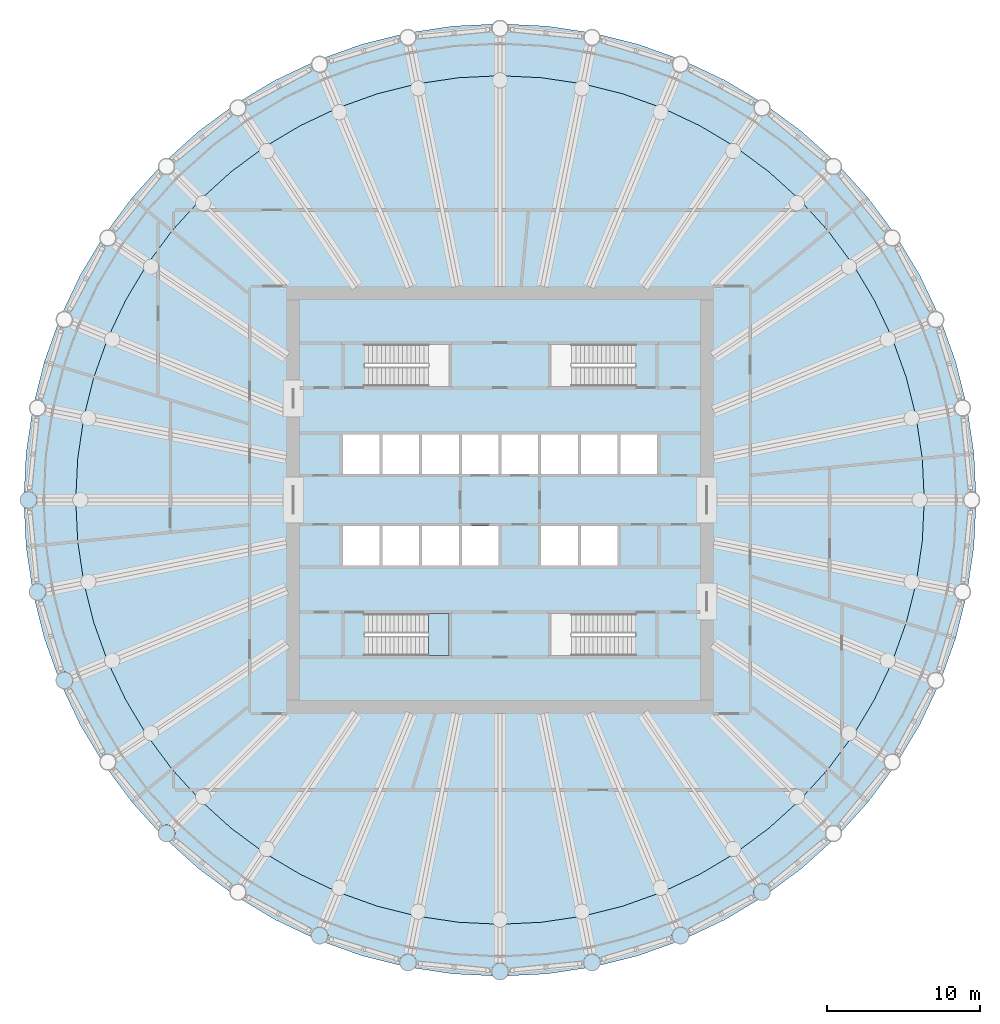
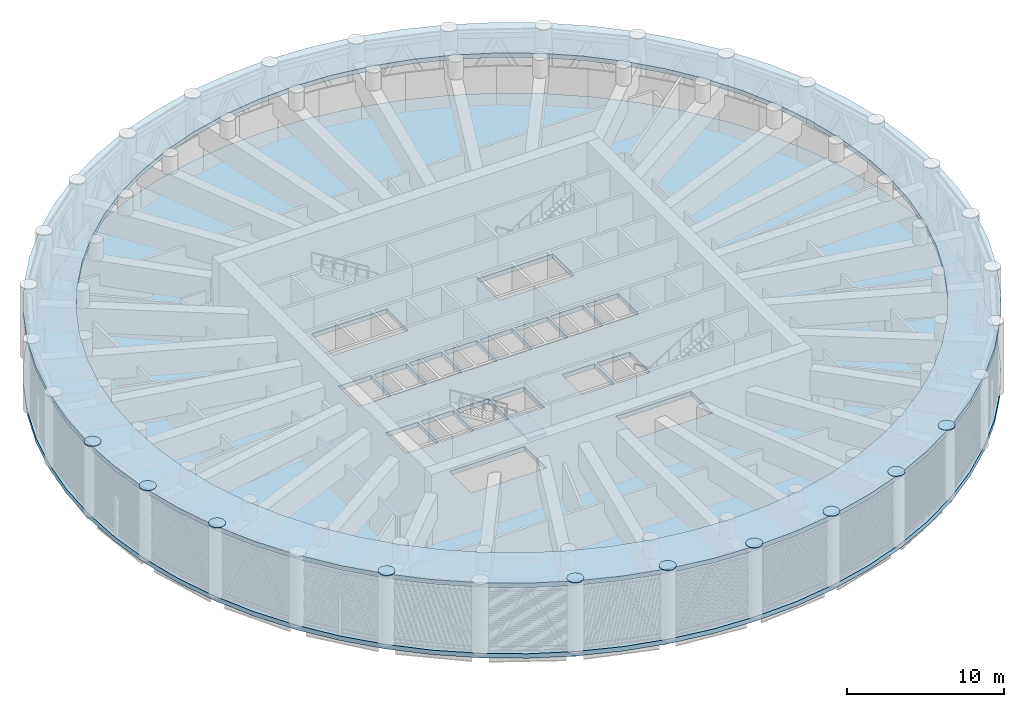
# One storey, part 5 of 23: 10 plates, 3 slabs, 1 element without a shape of its own.
"""IFC4 building model written with IfcOpenShell, lengths in metres."""

from ifc_helpers import new_model, si_unit, direction, frame, origin, place, context, subcontext, project, spatial, polyline, outline, extrude, material, layer, layer_set, type_object, element, aggregate, save


model = new_model("IFC4")

# Units and contexts
model_context = context("Model", 3, precision=1e-05, world=origin(), true_north=direction((0.0, 1.0)))
body_context = subcontext(model_context, "Body", "Model", "MODEL_VIEW")
ifc_project = project(units=[si_unit("LENGTHUNIT", "METRE"), si_unit("AREAUNIT", "SQUARE_METRE"), si_unit("VOLUMEUNIT", "CUBIC_METRE"), si_unit("PLANEANGLEUNIT", "RADIAN"), si_unit("MASSUNIT", "GRAM", prefix="KILO")], contexts=[model_context])

# Site, building, storey
site_placement = place(None, origin())
site = spatial("IfcSite", under=ifc_project, at=site_placement, CompositionType="ELEMENT")
building_placement = place(site_placement, origin())
building = spatial("IfcBuilding", under=site, at=building_placement, Name="Corvane Civic Tower", CompositionType="ELEMENT")
storey_placement = place(building_placement, frame((0.0, 0.0, 196.0)))
storey = spatial("IfcBuildingStorey", under=building, at=storey_placement, Name="L46", CompositionType="ELEMENT", Elevation=196.0)

# Plates
ifc_material_1 = material(Name="Steel ASTM A572 Gr 50", Category="steel")
ifc_layer_1 = layer(ifc_material_1, 0.044921875)
ifc_layer_set_1 = layer_set([ifc_layer_1], Name="Steel ASTM A572 Gr 50")
plate_type = type_object("IfcPlateType", Name="COLUMN CAP PLATE 45", PredefinedType="SHEET", material=ifc_layer_set_1)
plate_1_placement = place(storey_placement, frame((0.0, 0.0, 5.5)))
element("IfcPlate", 1, at=plate_1_placement, inside=storey, type_object=plate_type, Name="PL-L46-cap-C14", PredefinedType="SHEET", context=body_context, shape_type="SweptSolid", body=[
    extrude(outline(polyline([(17.71728515625, -25.6923828125), (17.71240234375, -25.62060546875), (17.698486328125, -25.550048828125), (17.67529296875, -25.48193359375), (17.6435546875, -25.41748046875), (17.603515625, -25.357666015625), (17.55615234375, -25.303466796875), (17.502197265625, -25.256103515625), (17.442138671875, -25.216064453125), (17.377685546875, -25.18408203125), (17.3095703125, -25.1611328125), (17.239013671875, -25.147216796875), (17.167236328125, -25.142333984375), (17.095458984375, -25.147216796875), (17.02490234375, -25.1611328125), (16.956787109375, -25.18408203125), (16.89208984375, -25.216064453125), (16.83251953125, -25.256103515625), (16.7783203125, -25.303466796875), (16.73095703125, -25.357666015625), (16.69091796875, -25.41748046875), (16.6591796875, -25.48193359375), (16.635986328125, -25.550048828125), (16.621826171875, -25.62060546875), (16.6171875, -25.6923828125), (16.621826171875, -25.76416015625), (16.635986328125, -25.834716796875), (16.6591796875, -25.90283203125), (16.69091796875, -25.96728515625), (16.73095703125, -26.027099609375), (16.7783203125, -26.081298828125), (16.83251953125, -26.128662109375), (16.89208984375, -26.168701171875), (16.956787109375, -26.200439453125), (17.02490234375, -26.2236328125), (17.095458984375, -26.23779296875), (17.167236328125, -26.242431640625), (17.239013671875, -26.23779296875), (17.3095703125, -26.2236328125), (17.377685546875, -26.200439453125), (17.442138671875, -26.168701171875), (17.502197265625, -26.128662109375), (17.55615234375, -26.081298828125), (17.603515625, -26.027099609375), (17.6435546875, -25.96728515625), (17.67529296875, -25.90283203125), (17.698486328125, -25.834716796875), (17.71240234375, -25.76416015625), (17.71728515625, -25.6923828125)])), origin(), (0.0, 0.0, 1.0), 0.044921875),
])
plate_2_placement = place(storey_placement, frame((0.0, 0.0, 5.5)))
element("IfcPlate", 2, at=plate_2_placement, inside=storey, type_object=plate_type, Name="PL-L46-cap-C15", PredefinedType="SHEET", context=body_context, shape_type="SweptSolid", body=[
    extrude(outline(polyline([(12.375, -28.5478515625), (12.3701171875, -28.47607421875), (12.356201171875, -28.405517578125), (12.3330078125, -28.33740234375), (12.30126953125, -28.27294921875), (12.26123046875, -28.212890625), (12.2138671875, -28.158935546875), (12.159912109375, -28.111572265625), (12.10009765625, -28.071533203125), (12.035400390625, -28.039794921875), (11.96728515625, -28.0166015625), (11.896728515625, -28.002685546875), (11.824951171875, -27.997802734375), (11.753173828125, -28.002685546875), (11.6826171875, -28.0166015625), (11.614501953125, -28.039794921875), (11.550048828125, -28.071533203125), (11.489990234375, -28.111572265625), (11.43603515625, -28.158935546875), (11.388671875, -28.212890625), (11.3486328125, -28.27294921875), (11.31689453125, -28.33740234375), (11.293701171875, -28.405517578125), (11.27978515625, -28.47607421875), (11.27490234375, -28.5478515625), (11.27978515625, -28.61962890625), (11.293701171875, -28.690185546875), (11.31689453125, -28.75830078125), (11.3486328125, -28.822998046875), (11.388671875, -28.8828125), (11.43603515625, -28.936767578125), (11.489990234375, -28.984130859375), (11.550048828125, -29.024169921875), (11.614501953125, -29.055908203125), (11.6826171875, -29.0791015625), (11.753173828125, -29.093017578125), (11.824951171875, -29.097900390625), (11.896728515625, -29.093017578125), (11.96728515625, -29.0791015625), (12.035400390625, -29.055908203125), (12.10009765625, -29.024169921875), (12.159912109375, -28.984130859375), (12.2138671875, -28.936767578125), (12.26123046875, -28.8828125), (12.30126953125, -28.822998046875), (12.3330078125, -28.75830078125), (12.356201171875, -28.690185546875), (12.3701171875, -28.61962890625), (12.375, -28.5478515625)])), origin(), (0.0, 0.0, 1.0), 0.044921875),
])
plate_3_placement = place(storey_placement, frame((0.0, 0.0, 5.5)))
element("IfcPlate", 3, at=plate_3_placement, inside=storey, type_object=plate_type, Name="PL-L46-cap-C16", PredefinedType="SHEET", context=body_context, shape_type="SweptSolid", body=[
    extrude(outline(polyline([(6.578369140625, -30.30615234375), (6.573486328125, -30.234375), (6.5595703125, -30.163818359375), (6.53662109375, -30.095703125), (6.504638671875, -30.03125), (6.464599609375, -29.97119140625), (6.417236328125, -29.917236328125), (6.363037109375, -29.869873046875), (6.30322265625, -29.829833984375), (6.23876953125, -29.798095703125), (6.170654296875, -29.77490234375), (6.10009765625, -29.760986328125), (6.0283203125, -29.756103515625), (5.95654296875, -29.760986328125), (5.885986328125, -29.77490234375), (5.81787109375, -29.798095703125), (5.75341796875, -29.829833984375), (5.693603515625, -29.869873046875), (5.639404296875, -29.917236328125), (5.592041015625, -29.97119140625), (5.552001953125, -30.03125), (5.520263671875, -30.095703125), (5.4970703125, -30.163818359375), (5.48291015625, -30.234375), (5.478271484375, -30.30615234375), (5.48291015625, -30.3779296875), (5.4970703125, -30.448486328125), (5.520263671875, -30.5166015625), (5.552001953125, -30.581298828125), (5.592041015625, -30.64111328125), (5.639404296875, -30.695068359375), (5.693603515625, -30.742431640625), (5.75341796875, -30.782470703125), (5.81787109375, -30.814208984375), (5.885986328125, -30.83740234375), (5.95654296875, -30.851318359375), (6.0283203125, -30.856201171875), (6.10009765625, -30.851318359375), (6.170654296875, -30.83740234375), (6.23876953125, -30.814208984375), (6.30322265625, -30.782470703125), (6.363037109375, -30.742431640625), (6.417236328125, -30.695068359375), (6.464599609375, -30.64111328125), (6.504638671875, -30.581298828125), (6.53662109375, -30.5166015625), (6.5595703125, -30.448486328125), (6.573486328125, -30.3779296875), (6.578369140625, -30.30615234375)])), origin(), (0.0, 0.0, 1.0), 0.044921875),
])
plate_4_placement = place(storey_placement, frame((0.0, 0.0, 5.5)))
element("IfcPlate", 4, at=plate_4_placement, inside=storey, type_object=plate_type, Name="PL-L46-cap-C17", PredefinedType="SHEET", context=body_context, shape_type="SweptSolid", body=[
    extrude(outline(polyline([(0.550048828125, -30.89990234375), (0.54541015625, -30.828125), (0.53125, -30.757568359375), (0.508056640625, -30.689453125), (0.476318359375, -30.625), (0.436279296875, -30.565185546875), (0.388916015625, -30.510986328125), (0.334716796875, -30.463623046875), (0.27490234375, -30.423583984375), (0.21044921875, -30.391845703125), (0.142333984375, -30.36865234375), (0.07177734375, -30.3544921875), (0.0, -30.349853515625), (-0.07177734375, -30.3544921875), (-0.142333984375, -30.36865234375), (-0.21044921875, -30.391845703125), (-0.27490234375, -30.423583984375), (-0.334716796875, -30.463623046875), (-0.388916015625, -30.510986328125), (-0.436279296875, -30.565185546875), (-0.476318359375, -30.625), (-0.508056640625, -30.689453125), (-0.53125, -30.757568359375), (-0.54541015625, -30.828125), (-0.550048828125, -30.89990234375), (-0.54541015625, -30.9716796875), (-0.53125, -31.042236328125), (-0.508056640625, -31.1103515625), (-0.476318359375, -31.1748046875), (-0.436279296875, -31.234619140625), (-0.388916015625, -31.288818359375), (-0.334716796875, -31.336181640625), (-0.27490234375, -31.376220703125), (-0.21044921875, -31.407958984375), (-0.142333984375, -31.43115234375), (-0.07177734375, -31.4453125), (0.0, -31.449951171875), (0.07177734375, -31.4453125), (0.142333984375, -31.43115234375), (0.21044921875, -31.407958984375), (0.27490234375, -31.376220703125), (0.334716796875, -31.336181640625), (0.388916015625, -31.288818359375), (0.436279296875, -31.234619140625), (0.476318359375, -31.1748046875), (0.508056640625, -31.1103515625), (0.53125, -31.042236328125), (0.54541015625, -30.9716796875), (0.550048828125, -30.89990234375)])), origin(), (0.0, 0.0, 1.0), 0.044921875),
])
plate_5_placement = place(storey_placement, frame((0.0, 0.0, 5.5)))
element("IfcPlate", 5, at=plate_5_placement, inside=storey, type_object=plate_type, Name="PL-L46-cap-C18", PredefinedType="SHEET", context=body_context, shape_type="SweptSolid", body=[
    extrude(outline(polyline([(-5.478271484375, -30.30615234375), (-5.48291015625, -30.234375), (-5.4970703125, -30.163818359375), (-5.520263671875, -30.095703125), (-5.552001953125, -30.03125), (-5.592041015625, -29.97119140625), (-5.639404296875, -29.917236328125), (-5.693603515625, -29.869873046875), (-5.75341796875, -29.829833984375), (-5.81787109375, -29.798095703125), (-5.885986328125, -29.77490234375), (-5.95654296875, -29.760986328125), (-6.0283203125, -29.756103515625), (-6.10009765625, -29.760986328125), (-6.170654296875, -29.77490234375), (-6.23876953125, -29.798095703125), (-6.30322265625, -29.829833984375), (-6.363037109375, -29.869873046875), (-6.417236328125, -29.917236328125), (-6.464599609375, -29.97119140625), (-6.504638671875, -30.03125), (-6.53662109375, -30.095703125), (-6.5595703125, -30.163818359375), (-6.573486328125, -30.234375), (-6.578369140625, -30.30615234375), (-6.573486328125, -30.3779296875), (-6.5595703125, -30.448486328125), (-6.53662109375, -30.5166015625), (-6.504638671875, -30.581298828125), (-6.464599609375, -30.64111328125), (-6.417236328125, -30.695068359375), (-6.363037109375, -30.742431640625), (-6.30322265625, -30.782470703125), (-6.23876953125, -30.814208984375), (-6.170654296875, -30.83740234375), (-6.10009765625, -30.851318359375), (-6.0283203125, -30.856201171875), (-5.95654296875, -30.851318359375), (-5.885986328125, -30.83740234375), (-5.81787109375, -30.814208984375), (-5.75341796875, -30.782470703125), (-5.693603515625, -30.742431640625), (-5.639404296875, -30.695068359375), (-5.592041015625, -30.64111328125), (-5.552001953125, -30.581298828125), (-5.520263671875, -30.5166015625), (-5.4970703125, -30.448486328125), (-5.48291015625, -30.3779296875), (-5.478271484375, -30.30615234375)])), origin(), (0.0, 0.0, 1.0), 0.044921875),
])
plate_6_placement = place(storey_placement, frame((0.0, 0.0, 5.5)))
element("IfcPlate", 6, at=plate_6_placement, inside=storey, type_object=plate_type, Name="PL-L46-cap-C19", PredefinedType="SHEET", context=body_context, shape_type="SweptSolid", body=[
    extrude(outline(polyline([(-11.27490234375, -28.5478515625), (-11.27978515625, -28.47607421875), (-11.293701171875, -28.405517578125), (-11.31689453125, -28.33740234375), (-11.3486328125, -28.27294921875), (-11.388671875, -28.212890625), (-11.43603515625, -28.158935546875), (-11.489990234375, -28.111572265625), (-11.550048828125, -28.071533203125), (-11.614501953125, -28.039794921875), (-11.6826171875, -28.0166015625), (-11.753173828125, -28.002685546875), (-11.824951171875, -27.997802734375), (-11.896728515625, -28.002685546875), (-11.96728515625, -28.0166015625), (-12.035400390625, -28.039794921875), (-12.10009765625, -28.071533203125), (-12.159912109375, -28.111572265625), (-12.2138671875, -28.158935546875), (-12.26123046875, -28.212890625), (-12.30126953125, -28.27294921875), (-12.3330078125, -28.33740234375), (-12.356201171875, -28.405517578125), (-12.3701171875, -28.47607421875), (-12.375, -28.5478515625), (-12.3701171875, -28.61962890625), (-12.356201171875, -28.690185546875), (-12.3330078125, -28.75830078125), (-12.30126953125, -28.822998046875), (-12.26123046875, -28.8828125), (-12.2138671875, -28.936767578125), (-12.159912109375, -28.984130859375), (-12.10009765625, -29.024169921875), (-12.035400390625, -29.055908203125), (-11.96728515625, -29.0791015625), (-11.896728515625, -29.093017578125), (-11.824951171875, -29.097900390625), (-11.753173828125, -29.093017578125), (-11.6826171875, -29.0791015625), (-11.614501953125, -29.055908203125), (-11.550048828125, -29.024169921875), (-11.489990234375, -28.984130859375), (-11.43603515625, -28.936767578125), (-11.388671875, -28.8828125), (-11.3486328125, -28.822998046875), (-11.31689453125, -28.75830078125), (-11.293701171875, -28.690185546875), (-11.27978515625, -28.61962890625), (-11.27490234375, -28.5478515625)])), origin(), (0.0, 0.0, 1.0), 0.044921875),
])
plate_7_placement = place(storey_placement, frame((0.0, 0.0, 5.5)))
element("IfcPlate", 7, at=plate_7_placement, inside=storey, type_object=plate_type, Name="PL-L46-cap-C21", PredefinedType="SHEET", context=body_context, shape_type="SweptSolid", body=[
    extrude(outline(polyline([(-21.299560546875, -21.849609375), (-21.30419921875, -21.77783203125), (-21.318359375, -21.707275390625), (-21.341552734375, -21.63916015625), (-21.373291015625, -21.57470703125), (-21.413330078125, -21.514892578125), (-21.460693359375, -21.460693359375), (-21.514892578125, -21.413330078125), (-21.57470703125, -21.373291015625), (-21.63916015625, -21.341552734375), (-21.707275390625, -21.318359375), (-21.77783203125, -21.30419921875), (-21.849609375, -21.299560546875), (-21.92138671875, -21.30419921875), (-21.991943359375, -21.318359375), (-22.06005859375, -21.341552734375), (-22.12451171875, -21.373291015625), (-22.184326171875, -21.413330078125), (-22.238525390625, -21.460693359375), (-22.285888671875, -21.514892578125), (-22.325927734375, -21.57470703125), (-22.357666015625, -21.63916015625), (-22.380859375, -21.707275390625), (-22.39501953125, -21.77783203125), (-22.399658203125, -21.849609375), (-22.39501953125, -21.92138671875), (-22.380859375, -21.991943359375), (-22.357666015625, -22.06005859375), (-22.325927734375, -22.12451171875), (-22.285888671875, -22.184326171875), (-22.238525390625, -22.238525390625), (-22.184326171875, -22.285888671875), (-22.12451171875, -22.325927734375), (-22.06005859375, -22.357666015625), (-21.991943359375, -22.380859375), (-21.92138671875, -22.39501953125), (-21.849609375, -22.399658203125), (-21.77783203125, -22.39501953125), (-21.707275390625, -22.380859375), (-21.63916015625, -22.357666015625), (-21.57470703125, -22.325927734375), (-21.514892578125, -22.285888671875), (-21.460693359375, -22.238525390625), (-21.413330078125, -22.184326171875), (-21.373291015625, -22.12451171875), (-21.341552734375, -22.06005859375), (-21.318359375, -21.991943359375), (-21.30419921875, -21.92138671875), (-21.299560546875, -21.849609375)])), origin(), (0.0, 0.0, 1.0), 0.044921875),
])
plate_8_placement = place(storey_placement, frame((0.0, 0.0, 5.5)))
element("IfcPlate", 8, at=plate_8_placement, inside=storey, type_object=plate_type, Name="PL-L46-cap-C23", PredefinedType="SHEET", context=body_context, shape_type="SweptSolid", body=[
    extrude(outline(polyline([(-27.997802734375, -11.824951171875), (-28.002685546875, -11.753173828125), (-28.0166015625, -11.6826171875), (-28.039794921875, -11.614501953125), (-28.071533203125, -11.550048828125), (-28.111572265625, -11.489990234375), (-28.158935546875, -11.43603515625), (-28.212890625, -11.388671875), (-28.27294921875, -11.3486328125), (-28.33740234375, -11.31689453125), (-28.405517578125, -11.293701171875), (-28.47607421875, -11.27978515625), (-28.5478515625, -11.27490234375), (-28.61962890625, -11.27978515625), (-28.690185546875, -11.293701171875), (-28.75830078125, -11.31689453125), (-28.822998046875, -11.3486328125), (-28.8828125, -11.388671875), (-28.936767578125, -11.43603515625), (-28.984130859375, -11.489990234375), (-29.024169921875, -11.550048828125), (-29.055908203125, -11.614501953125), (-29.0791015625, -11.6826171875), (-29.093017578125, -11.753173828125), (-29.097900390625, -11.824951171875), (-29.093017578125, -11.896728515625), (-29.0791015625, -11.96728515625), (-29.055908203125, -12.035400390625), (-29.024169921875, -12.10009765625), (-28.984130859375, -12.159912109375), (-28.936767578125, -12.2138671875), (-28.8828125, -12.26123046875), (-28.822998046875, -12.30126953125), (-28.75830078125, -12.3330078125), (-28.690185546875, -12.356201171875), (-28.61962890625, -12.3701171875), (-28.5478515625, -12.375), (-28.47607421875, -12.3701171875), (-28.405517578125, -12.356201171875), (-28.33740234375, -12.3330078125), (-28.27294921875, -12.30126953125), (-28.212890625, -12.26123046875), (-28.158935546875, -12.2138671875), (-28.111572265625, -12.159912109375), (-28.071533203125, -12.10009765625), (-28.039794921875, -12.035400390625), (-28.0166015625, -11.96728515625), (-28.002685546875, -11.896728515625), (-27.997802734375, -11.824951171875)])), origin(), (0.0, 0.0, 1.0), 0.044921875),
])
plate_9_placement = place(storey_placement, frame((0.0, 0.0, 5.5)))
element("IfcPlate", 9, at=plate_9_placement, inside=storey, type_object=plate_type, Name="PL-L46-cap-C24", PredefinedType="SHEET", context=body_context, shape_type="SweptSolid", body=[
    extrude(outline(polyline([(-29.756103515625, -6.0283203125), (-29.760986328125, -5.95654296875), (-29.77490234375, -5.885986328125), (-29.798095703125, -5.81787109375), (-29.829833984375, -5.75341796875), (-29.869873046875, -5.693603515625), (-29.917236328125, -5.639404296875), (-29.97119140625, -5.592041015625), (-30.03125, -5.552001953125), (-30.095703125, -5.520263671875), (-30.163818359375, -5.4970703125), (-30.234375, -5.48291015625), (-30.30615234375, -5.478271484375), (-30.3779296875, -5.48291015625), (-30.448486328125, -5.4970703125), (-30.5166015625, -5.520263671875), (-30.581298828125, -5.552001953125), (-30.64111328125, -5.592041015625), (-30.695068359375, -5.639404296875), (-30.742431640625, -5.693603515625), (-30.782470703125, -5.75341796875), (-30.814208984375, -5.81787109375), (-30.83740234375, -5.885986328125), (-30.851318359375, -5.95654296875), (-30.856201171875, -6.0283203125), (-30.851318359375, -6.10009765625), (-30.83740234375, -6.170654296875), (-30.814208984375, -6.23876953125), (-30.782470703125, -6.30322265625), (-30.742431640625, -6.363037109375), (-30.695068359375, -6.417236328125), (-30.64111328125, -6.464599609375), (-30.581298828125, -6.504638671875), (-30.5166015625, -6.53662109375), (-30.448486328125, -6.5595703125), (-30.3779296875, -6.573486328125), (-30.30615234375, -6.578369140625), (-30.234375, -6.573486328125), (-30.163818359375, -6.5595703125), (-30.095703125, -6.53662109375), (-30.03125, -6.504638671875), (-29.97119140625, -6.464599609375), (-29.917236328125, -6.417236328125), (-29.869873046875, -6.363037109375), (-29.829833984375, -6.30322265625), (-29.798095703125, -6.23876953125), (-29.77490234375, -6.170654296875), (-29.760986328125, -6.10009765625), (-29.756103515625, -6.0283203125)])), origin(), (0.0, 0.0, 1.0), 0.044921875),
])
plate_10_placement = place(storey_placement, frame((0.0, 0.0, 5.5)))
element("IfcPlate", 10, at=plate_10_placement, inside=storey, type_object=plate_type, Name="PL-L46-cap-C25", PredefinedType="SHEET", context=body_context, shape_type="SweptSolid", body=[
    extrude(outline(polyline([(-30.349853515625, 0.0), (-30.3544921875, 0.07177734375), (-30.36865234375, 0.142333984375), (-30.391845703125, 0.21044921875), (-30.423583984375, 0.27490234375), (-30.463623046875, 0.334716796875), (-30.510986328125, 0.388916015625), (-30.565185546875, 0.436279296875), (-30.625, 0.476318359375), (-30.689453125, 0.508056640625), (-30.757568359375, 0.53125), (-30.828125, 0.54541015625), (-30.89990234375, 0.550048828125), (-30.9716796875, 0.54541015625), (-31.042236328125, 0.53125), (-31.1103515625, 0.508056640625), (-31.1748046875, 0.476318359375), (-31.234619140625, 0.436279296875), (-31.288818359375, 0.388916015625), (-31.336181640625, 0.334716796875), (-31.376220703125, 0.27490234375), (-31.407958984375, 0.21044921875), (-31.43115234375, 0.142333984375), (-31.4453125, 0.07177734375), (-31.449951171875, 0.0), (-31.4453125, -0.07177734375), (-31.43115234375, -0.142333984375), (-31.407958984375, -0.21044921875), (-31.376220703125, -0.27490234375), (-31.336181640625, -0.334716796875), (-31.288818359375, -0.388916015625), (-31.234619140625, -0.436279296875), (-31.1748046875, -0.476318359375), (-31.1103515625, -0.508056640625), (-31.042236328125, -0.53125), (-30.9716796875, -0.54541015625), (-30.89990234375, -0.550048828125), (-30.828125, -0.54541015625), (-30.757568359375, -0.53125), (-30.689453125, -0.508056640625), (-30.625, -0.476318359375), (-30.565185546875, -0.436279296875), (-30.510986328125, -0.388916015625), (-30.463623046875, -0.334716796875), (-30.423583984375, -0.27490234375), (-30.391845703125, -0.21044921875), (-30.36865234375, -0.142333984375), (-30.3544921875, -0.07177734375), (-30.349853515625, 0.0)])), origin(), (0.0, 0.0, 1.0), 0.044921875),
])

# Slabs
ifc_material_2 = material(Name="Concrete C40/50", Category="concrete")
ifc_layer_2 = layer(ifc_material_2, 0.35009765625)
ifc_layer_set_2 = layer_set([ifc_layer_2], Name="Concrete C40/50")
slab_type_1 = type_object("IfcSlabType", Name="FLOOR SLAB 350", PredefinedType="FLOOR", material=ifc_layer_set_2)
slab_1_placement = place(storey_placement, frame((0.0, 0.0, -0.35009765625)))
element("IfcSlab", 11, at=slab_1_placement, inside=storey, type_object=slab_type_1, Name="SLB-L46", PredefinedType="FLOOR", context=body_context, shape_type="SweptSolid", body=[
    extrude(outline(polyline([(0.0, 31.199951171875), (-3.05810546875, 31.0498046875), (-6.0869140625, 30.6005859375), (-9.056884765625, 29.8564453125), (-11.939697265625, 28.824951171875), (-14.70751953125, 27.515869140625), (-17.333740234375, 25.94189453125), (-19.79296875, 24.117919921875), (-22.061767578125, 22.061767578125), (-24.117919921875, 19.79296875), (-25.94189453125, 17.333740234375), (-27.515869140625, 14.70751953125), (-28.824951171875, 11.939697265625), (-29.8564453125, 9.056884765625), (-30.6005859375, 6.0869140625), (-31.0498046875, 3.05810546875), (-31.199951171875, 0.0), (-31.0498046875, -3.05810546875), (-30.6005859375, -6.0869140625), (-29.8564453125, -9.056884765625), (-28.824951171875, -11.939697265625), (-27.515869140625, -14.70751953125), (-25.94189453125, -17.333740234375), (-24.117919921875, -19.79296875), (-22.061767578125, -22.061767578125), (-19.79296875, -24.117919921875), (-17.333740234375, -25.94189453125), (-14.70751953125, -27.515869140625), (-11.939697265625, -28.824951171875), (-9.056884765625, -29.8564453125), (-6.0869140625, -30.6005859375), (-3.05810546875, -31.0498046875), (0.0, -31.199951171875), (3.05810546875, -31.0498046875), (6.0869140625, -30.6005859375), (9.056884765625, -29.8564453125), (11.939697265625, -28.824951171875), (14.70751953125, -27.515869140625), (17.333740234375, -25.94189453125), (19.79296875, -24.117919921875), (22.061767578125, -22.061767578125), (24.117919921875, -19.79296875), (25.94189453125, -17.333740234375), (27.515869140625, -14.70751953125), (28.824951171875, -11.939697265625), (29.8564453125, -9.056884765625), (30.6005859375, -6.0869140625), (31.0498046875, -3.05810546875), (31.199951171875, 0.0), (31.0498046875, 3.05810546875), (30.6005859375, 6.0869140625), (29.8564453125, 9.056884765625), (28.824951171875, 11.939697265625), (27.515869140625, 14.70751953125), (25.94189453125, 17.333740234375), (24.117919921875, 19.79296875), (22.061767578125, 22.061767578125), (19.79296875, 24.117919921875), (17.333740234375, 25.94189453125), (14.70751953125, 27.515869140625), (11.939697265625, 28.824951171875), (9.056884765625, 29.8564453125), (6.0869140625, 30.6005859375), (3.05810546875, 31.0498046875), (0.0, 31.199951171875)]), holes=[polyline([(-7.89990234375, 1.699951171875), (-10.300048828125, 1.699951171875), (-10.300048828125, 4.300048828125), (-7.89990234375, 4.300048828125), (-7.89990234375, 1.699951171875)]), polyline([(-5.300048828125, 1.699951171875), (-7.699951171875, 1.699951171875), (-7.699951171875, 4.300048828125), (-5.300048828125, 4.300048828125), (-5.300048828125, 1.699951171875)]), polyline([(-2.699951171875, 1.699951171875), (-5.10009765625, 1.699951171875), (-5.10009765625, 4.300048828125), (-2.699951171875, 4.300048828125), (-2.699951171875, 1.699951171875)]), polyline([(-2.5, 4.300048828125), (-0.10009765625, 4.300048828125), (-0.10009765625, 1.699951171875), (-2.5, 1.699951171875), (-2.5, 4.300048828125)]), polyline([(0.10009765625, 4.300048828125), (2.5, 4.300048828125), (2.5, 1.699951171875), (0.10009765625, 1.699951171875), (0.10009765625, 4.300048828125)]), polyline([(2.699951171875, 4.300048828125), (5.10009765625, 4.300048828125), (5.10009765625, 1.699951171875), (2.699951171875, 1.699951171875), (2.699951171875, 4.300048828125)]), polyline([(5.300048828125, 4.300048828125), (7.699951171875, 4.300048828125), (7.699951171875, 1.699951171875), (5.300048828125, 1.699951171875), (5.300048828125, 4.300048828125)]), polyline([(7.89990234375, 4.300048828125), (10.300048828125, 4.300048828125), (10.300048828125, 1.699951171875), (7.89990234375, 1.699951171875), (7.89990234375, 4.300048828125)]), polyline([(-10.300048828125, -4.300048828125), (-10.300048828125, -1.699951171875), (-7.89990234375, -1.699951171875), (-7.89990234375, -4.300048828125), (-10.300048828125, -4.300048828125)]), polyline([(-7.699951171875, -4.300048828125), (-7.699951171875, -1.699951171875), (-5.300048828125, -1.699951171875), (-5.300048828125, -4.300048828125), (-7.699951171875, -4.300048828125)]), polyline([(-5.10009765625, -4.300048828125), (-5.10009765625, -1.699951171875), (-2.699951171875, -1.699951171875), (-2.699951171875, -4.300048828125), (-5.10009765625, -4.300048828125)]), polyline([(-0.10009765625, -1.699951171875), (-0.10009765625, -4.300048828125), (-2.5, -4.300048828125), (-2.5, -1.699951171875), (-0.10009765625, -1.699951171875)]), polyline([(5.10009765625, -1.699951171875), (5.10009765625, -4.300048828125), (2.699951171875, -4.300048828125), (2.699951171875, -1.699951171875), (5.10009765625, -1.699951171875)]), polyline([(7.699951171875, -1.699951171875), (7.699951171875, -4.300048828125), (5.300048828125, -4.300048828125), (5.300048828125, -1.699951171875), (7.699951171875, -1.699951171875)]), polyline([(8.889892578125, 10.199951171875), (8.889892578125, 7.449951171875), (3.35009765625, 7.449951171875), (3.35009765625, 10.199951171875), (8.889892578125, 10.199951171875)]), polyline([(-8.889892578125, 7.449951171875), (-8.889892578125, 10.199951171875), (-3.35009765625, 10.199951171875), (-3.35009765625, 7.449951171875), (-8.889892578125, 7.449951171875)]), polyline([(8.889892578125, -7.449951171875), (8.889892578125, -10.199951171875), (3.35009765625, -10.199951171875), (3.35009765625, -7.449951171875), (8.889892578125, -7.449951171875)]), polyline([(-8.889892578125, -10.199951171875), (-8.889892578125, -7.449951171875), (-3.35009765625, -7.449951171875), (-3.35009765625, -10.199951171875), (-8.889892578125, -10.199951171875)])]), origin(), (0.0, 0.0, 1.0), 0.35009765625),
])
ifc_material_3 = material(Name="Concrete C40/50", Category="concrete")
ifc_layer_3 = layer(ifc_material_3, 0.35009765625)
ifc_layer_set_3 = layer_set([ifc_layer_3], Name="Concrete C40/50")
slab_type_2 = type_object("IfcSlabType", Name="SETBACK ROOF SLAB 350", PredefinedType="ROOF", material=ifc_layer_set_3)
slab_2_placement = place(storey_placement, frame((0.0, 0.0, 5.14990234375)))
element("IfcSlab", 12, at=slab_2_placement, inside=storey, type_object=slab_type_2, Name="SLB-L46-roof", PredefinedType="ROOF", context=body_context, shape_type="SweptSolid", body=[
    extrude(outline(polyline([(0.0, 31.199951171875), (-3.05810546875, 31.0498046875), (-6.0869140625, 30.6005859375), (-9.056884765625, 29.8564453125), (-11.939697265625, 28.824951171875), (-14.70751953125, 27.515869140625), (-17.333740234375, 25.94189453125), (-19.79296875, 24.117919921875), (-22.061767578125, 22.061767578125), (-24.117919921875, 19.79296875), (-25.94189453125, 17.333740234375), (-27.515869140625, 14.70751953125), (-28.824951171875, 11.939697265625), (-29.8564453125, 9.056884765625), (-30.6005859375, 6.0869140625), (-31.0498046875, 3.05810546875), (-31.199951171875, 0.0), (-31.0498046875, -3.05810546875), (-30.6005859375, -6.0869140625), (-29.8564453125, -9.056884765625), (-28.824951171875, -11.939697265625), (-27.515869140625, -14.70751953125), (-25.94189453125, -17.333740234375), (-24.117919921875, -19.79296875), (-22.061767578125, -22.061767578125), (-19.79296875, -24.117919921875), (-17.333740234375, -25.94189453125), (-14.70751953125, -27.515869140625), (-11.939697265625, -28.824951171875), (-9.056884765625, -29.8564453125), (-6.0869140625, -30.6005859375), (-3.05810546875, -31.0498046875), (0.0, -31.199951171875), (3.05810546875, -31.0498046875), (6.0869140625, -30.6005859375), (9.056884765625, -29.8564453125), (11.939697265625, -28.824951171875), (14.70751953125, -27.515869140625), (17.333740234375, -25.94189453125), (19.79296875, -24.117919921875), (22.061767578125, -22.061767578125), (24.117919921875, -19.79296875), (25.94189453125, -17.333740234375), (27.515869140625, -14.70751953125), (28.824951171875, -11.939697265625), (29.8564453125, -9.056884765625), (30.6005859375, -6.0869140625), (31.0498046875, -3.05810546875), (31.199951171875, 0.0), (31.0498046875, 3.05810546875), (30.6005859375, 6.0869140625), (29.8564453125, 9.056884765625), (28.824951171875, 11.939697265625), (27.515869140625, 14.70751953125), (25.94189453125, 17.333740234375), (24.117919921875, 19.79296875), (22.061767578125, 22.061767578125), (19.79296875, 24.117919921875), (17.333740234375, 25.94189453125), (14.70751953125, 27.515869140625), (11.939697265625, 28.824951171875), (9.056884765625, 29.8564453125), (6.0869140625, 30.6005859375), (3.05810546875, 31.0498046875), (0.0, 31.199951171875)]), holes=[polyline([(0.0, 27.800048828125), (-2.724853515625, 27.666015625), (-5.423583984375, 27.265869140625), (-8.06982421875, 26.60302734375), (-10.638671875, 25.683837890625), (-13.104736328125, 24.517333984375), (-15.44482421875, 23.11474609375), (-17.63623046875, 21.48974609375), (-19.657470703125, 19.657470703125), (-21.48974609375, 17.63623046875), (-23.11474609375, 15.44482421875), (-24.517333984375, 13.104736328125), (-25.683837890625, 10.638671875), (-26.60302734375, 8.06982421875), (-27.265869140625, 5.423583984375), (-27.666015625, 2.724853515625), (-27.800048828125, 0.0), (-27.666015625, -2.724853515625), (-27.265869140625, -5.423583984375), (-26.60302734375, -8.06982421875), (-25.683837890625, -10.638671875), (-24.517333984375, -13.104736328125), (-23.11474609375, -15.44482421875), (-21.48974609375, -17.63623046875), (-19.657470703125, -19.657470703125), (-17.63623046875, -21.48974609375), (-15.44482421875, -23.11474609375), (-13.104736328125, -24.517333984375), (-10.638671875, -25.683837890625), (-8.06982421875, -26.60302734375), (-5.423583984375, -27.265869140625), (-2.724853515625, -27.666015625), (0.0, -27.800048828125), (2.724853515625, -27.666015625), (5.423583984375, -27.265869140625), (8.06982421875, -26.60302734375), (10.638671875, -25.683837890625), (13.104736328125, -24.517333984375), (15.44482421875, -23.11474609375), (17.63623046875, -21.48974609375), (19.657470703125, -19.657470703125), (21.48974609375, -17.63623046875), (23.11474609375, -15.44482421875), (24.517333984375, -13.104736328125), (25.683837890625, -10.638671875), (26.60302734375, -8.06982421875), (27.265869140625, -5.423583984375), (27.666015625, -2.724853515625), (27.800048828125, 0.0), (27.666015625, 2.724853515625), (27.265869140625, 5.423583984375), (26.60302734375, 8.06982421875), (25.683837890625, 10.638671875), (24.517333984375, 13.104736328125), (23.11474609375, 15.44482421875), (21.48974609375, 17.63623046875), (19.657470703125, 19.657470703125), (17.63623046875, 21.48974609375), (15.44482421875, 23.11474609375), (13.104736328125, 24.517333984375), (10.638671875, 25.683837890625), (8.06982421875, 26.60302734375), (5.423583984375, 27.265869140625), (2.724853515625, 27.666015625), (0.0, 27.800048828125)])]), origin(), (0.0, 0.0, 1.0), 0.35009765625),
])

# Stair, slab
ifc_material_4 = material(Name="Concrete C40/50", Category="concrete")
stair_type = type_object("IfcStairType", Name="ST-STAIR-HALFTURN", PredefinedType="HALF_TURN_STAIR", material=ifc_material_4)
stair_placement = place(storey_placement, origin())
stair = element("IfcStair", 13, at=stair_placement, inside=storey, type_object=stair_type, Name="L46 Exit stair ST3", PredefinedType="HALF_TURN_STAIR")
ifc_material_5 = material(Name="Concrete C40/50", Category="concrete")
ifc_layer_4 = layer(ifc_material_5, 0.199951171875)
ifc_layer_set_4 = layer_set([ifc_layer_4], Name="Concrete C40/50")
slab_type_3 = type_object("IfcSlabType", Name="ST-LANDING-RC", PredefinedType="LANDING", material=ifc_layer_set_4)
slab_3_placement = place(storey_placement, frame((0.0, 0.0, 2.550048828125)))
slab_3 = element("IfcSlab", 14, at=slab_3_placement, type_object=slab_type_3, Name="ST3 landing 1", PredefinedType="LANDING", context=body_context, shape_type="SweptSolid", body=[
    extrude(outline(polyline([(-4.699951171875, -10.199951171875), (-3.35009765625, -10.199951171875), (-3.35009765625, -7.449951171875), (-4.699951171875, -7.449951171875), (-4.699951171875, -10.199951171875)])), origin(), (0.0, 0.0, 1.0), 0.199951171875),
])
aggregate(stair, [slab_3])

save(model, "model.ifc")
